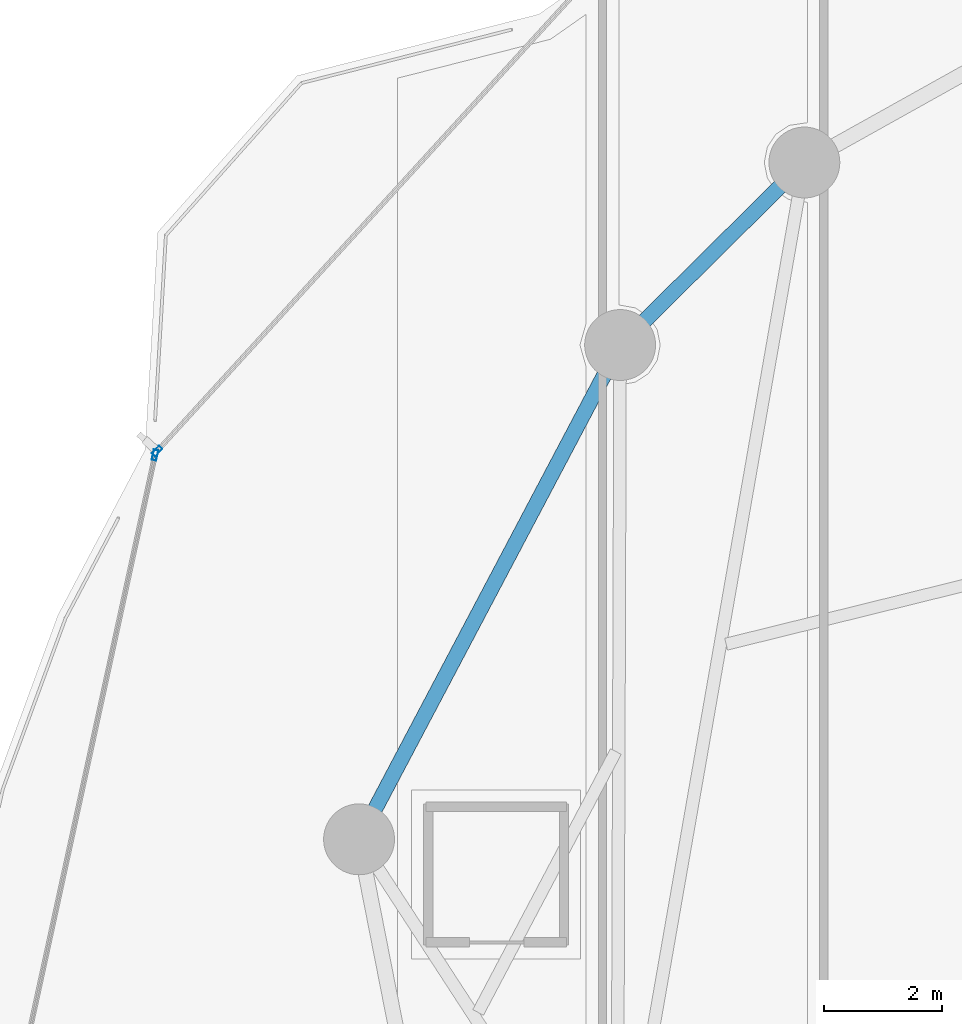
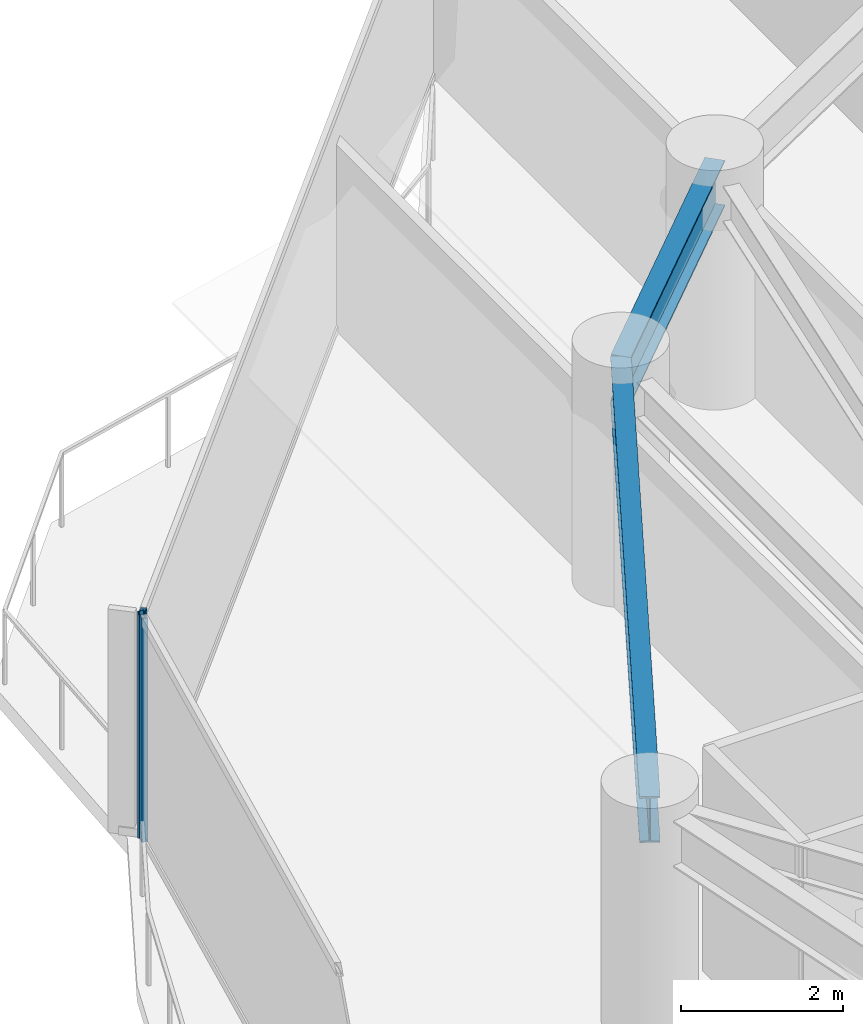
# One storey, part 17 of 34: 2 beams, 2 members, 2 elements without a shape of their own.
"""IFC4 building model written with IfcOpenShell, lengths in metres."""

from ifc_helpers import new_model, si_unit, direction, frame, origin, origin_2d, place, context, subcontext, project, spatial, hollow_rectangle, i_section, extrude, material, layer, layer_set, material_profile, profile_set, type_object, element, aggregate, save


model = new_model("IFC4")

# Units and contexts
model_context = context("Model", 3, precision=1e-05, world=origin(), true_north=direction((0.0, 1.0)))
body_context = subcontext(model_context, "Body", "Model", "MODEL_VIEW")
ifc_project = project(units=[si_unit("LENGTHUNIT", "METRE"), si_unit("AREAUNIT", "SQUARE_METRE"), si_unit("VOLUMEUNIT", "CUBIC_METRE"), si_unit("PLANEANGLEUNIT", "RADIAN"), si_unit("MASSUNIT", "GRAM", prefix="KILO")], contexts=[model_context])

# Site, building, storey
site_placement = place(None, origin())
site = spatial("IfcSite", under=ifc_project, at=site_placement, CompositionType="ELEMENT")
building_placement = place(site_placement, origin())
building = spatial("IfcBuilding", under=site, at=building_placement, Name="Kazevale Care Tower and Concert Hall", CompositionType="ELEMENT")
storey_placement = place(building_placement, frame((0.0, 0.0, 160.199951171875)))
storey = spatial("IfcBuildingStorey", under=building, at=storey_placement, Name="L42", CompositionType="ELEMENT", Elevation=160.199951171875)

# Curtain wall, member
ifc_material_1 = material(Name="Aluminium 6063-T6 and Low-E Glass", Category="aluminium")
ifc_layer_1 = layer(ifc_material_1, 0.179931640625)
ifc_layer_set_1 = layer_set([ifc_layer_1], Name="Aluminium 6063-T6 and Low-E Glass")
curtain_wall_type_1 = type_object("IfcCurtainWallType", Name="Convex Checkerboard Finned Curtain Wall CW-2", PredefinedType="NOTDEFINED", material=ifc_layer_set_1)
curtain_wall_1_placement = place(storey_placement, origin())
curtain_wall_1 = element("IfcCurtainWall", 1, at=curtain_wall_1_placement, inside=storey, type_object=curtain_wall_type_1, Name="cw:L42:f14", PredefinedType="NOTDEFINED")
ifc_material_2 = material(Name="Aluminium 6063-T6", Category="aluminium")
ifc_material_profile_1 = material_profile(ifc_material_2, hollow_rectangle(XDim=0.080078125, YDim=0.179931640625, WallThickness=0.0048828125, at=origin_2d()), Name="ALU80x180x5")
ifc_profile_set_1 = profile_set([ifc_material_profile_1], Name="Aluminium 6063-T6")
member_type_1 = type_object("IfcMemberType", Name="CW-2 Mullion ALU80x180x5", PredefinedType="MULLION", material=ifc_profile_set_1)
member_1_placement = place(storey_placement, frame((14.2109375, 49.694580078125, 0.0), z_axis=(0.0, 0.0, 1.0), x_axis=(-0.738491785899, 0.674262472751, 0.0)))
member_1 = element("IfcMember", 2, at=member_1_placement, type_object=member_type_1, Name="CW-2 mullion 1", PredefinedType="MULLION", context=body_context, shape_type="SweptSolid", body=[
    extrude(hollow_rectangle(XDim=0.080078125, YDim=0.179931640625, WallThickness=0.0048828125, at=origin_2d()), origin(), (0.0, 0.0, 1.0), 3.360107421875),
])
aggregate(curtain_wall_1, [member_1])

ifc_layer_2 = layer(ifc_material_1, 0.179931640625)
ifc_layer_set_2 = layer_set([ifc_layer_2], Name="Aluminium 6063-T6 and Low-E Glass")
curtain_wall_type_2 = type_object("IfcCurtainWallType", Name="Waist & Upper Residential Curtain Wall CW-4", PredefinedType="NOTDEFINED", material=ifc_layer_set_2)
curtain_wall_2_placement = place(storey_placement, origin())
curtain_wall_2 = element("IfcCurtainWall", 3, at=curtain_wall_2_placement, inside=storey, type_object=curtain_wall_type_2, Name="cw:L42:f13", PredefinedType="NOTDEFINED")
ifc_material_profile_2 = material_profile(ifc_material_2, hollow_rectangle(XDim=0.080078125, YDim=0.179931640625, WallThickness=0.0048828125, at=origin_2d()), Name="ALU80x180x5")
ifc_profile_set_2 = profile_set([ifc_material_profile_2], Name="Aluminium 6063-T6")
member_type_2 = type_object("IfcMemberType", Name="CW-4 Mullion ALU80x180x5", PredefinedType="MULLION", material=ifc_profile_set_2)
member_2_placement = place(storey_placement, frame((14.175537109375, 49.6259765625, 0.0), z_axis=(0.0, 0.0, 1.0), x_axis=(-0.977090755849, 0.21282305992, 0.0)))
member_2 = element("IfcMember", 4, at=member_2_placement, type_object=member_type_2, Name="CW-4 mullion 2", PredefinedType="MULLION", context=body_context, shape_type="SweptSolid", body=[
    extrude(hollow_rectangle(XDim=0.080078125, YDim=0.179931640625, WallThickness=0.0048828125, at=origin_2d()), origin(), (0.0, 0.0, 1.0), 3.360107421875),
])
aggregate(curtain_wall_2, [member_2])

# Beams
ifc_material_3 = material(Name="Steel ASTM A572 Gr 50", Category="steel")
ifc_material_profile_3 = material_profile(ifc_material_3, i_section(OverallWidth=0.256103515625, OverallDepth=0.693115234375, WebThickness=0.014404296875, FlangeThickness=0.023681640625, at=origin_2d()), Name="W690x170")
ifc_profile_set_3 = profile_set([ifc_material_profile_3], Name="Steel ASTM A572 Gr 50")
beam_type = type_object("IfcBeamType", Name="Waist Ring Beam W690x170", PredefinedType="BEAM", material=ifc_profile_set_3)
beam_1_placement = place(storey_placement, frame((25.169921875, 54.580078125, 3.013427734375), z_axis=(-0.710490141585, -0.703707154085, 0.0), x_axis=(0.703707154085, -0.710490141585, 0.0)))
element("IfcBeam", 5, at=beam_1_placement, inside=storey, type_object=beam_type, Name="beam:L42:ring:07", PredefinedType="BEAM", context=body_context, shape_type="SweptSolid", body=[
    extrude(i_section(OverallWidth=0.256103515625, OverallDepth=0.693115234375, WebThickness=0.014404296875, FlangeThickness=0.023681640625, at=origin_2d()), origin(), (0.0, 0.0, 1.0), 4.39111328125),
])
beam_2_placement = place(storey_placement, frame((22.050048828125, 51.489990234375, 3.013427734375), z_axis=(-0.466984438127, -0.884265533959, 0.0), x_axis=(0.884265533959, -0.466984438127, 0.0)))
element("IfcBeam", 6, at=beam_2_placement, inside=storey, type_object=beam_type, Name="beam:L42:ring:08", PredefinedType="BEAM", context=body_context, shape_type="SweptSolid", body=[
    extrude(i_section(OverallWidth=0.256103515625, OverallDepth=0.693115234375, WebThickness=0.014404296875, FlangeThickness=0.023681640625, at=origin_2d()), origin(), (0.0, 0.0, 1.0), 9.46533203125),
])

save(model, "model.ifc")
